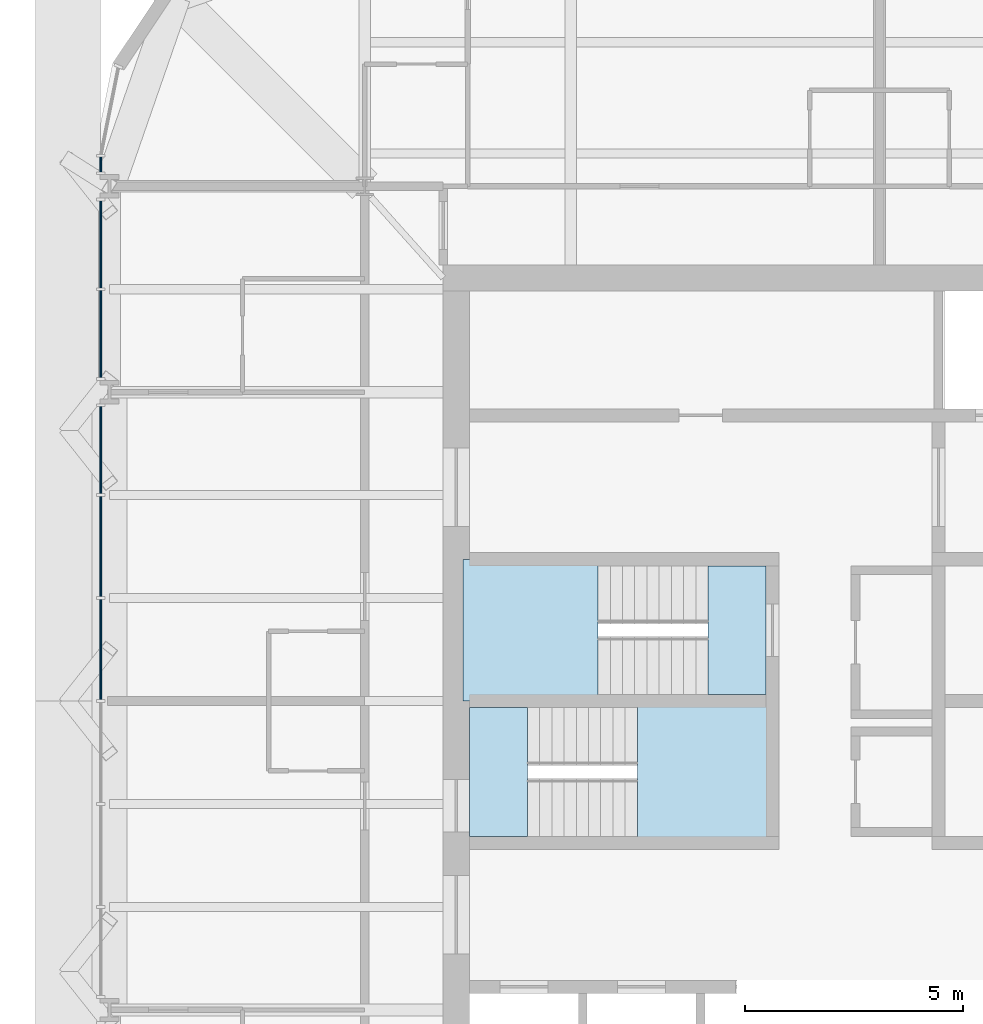
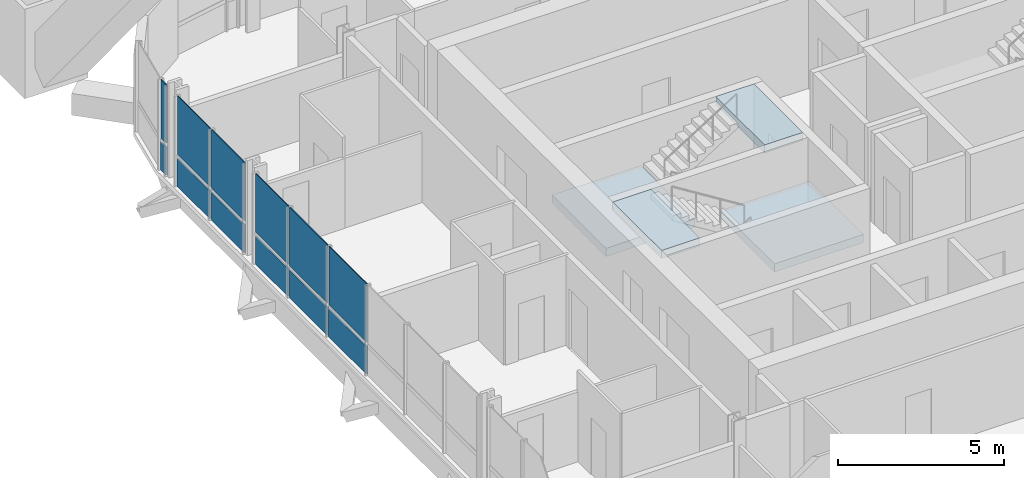
# One storey, part 15 of 23: 12 plates, 4 slabs, 5 elements without a shape of their own.
"""IFC4 building model written with IfcOpenShell, lengths in metres."""

from ifc_helpers import new_model, si_unit, direction, frame, origin, origin_2d, place, context, subcontext, project, spatial, polyline, rectangle, outline, extrude, material, layer, layer_set, type_object, element, aggregate, save


model = new_model("IFC4")

# Units and contexts
model_context = context("Model", 3, precision=1e-05, world=origin(), true_north=direction((0.0, 1.0)))
body_context = subcontext(model_context, "Body", "Model", "MODEL_VIEW")
ifc_project = project(units=[si_unit("LENGTHUNIT", "METRE"), si_unit("AREAUNIT", "SQUARE_METRE"), si_unit("VOLUMEUNIT", "CUBIC_METRE"), si_unit("PLANEANGLEUNIT", "RADIAN"), si_unit("MASSUNIT", "GRAM", prefix="KILO")], contexts=[model_context])

# Site, building, storey
site_placement = place(None, origin())
site = spatial("IfcSite", under=ifc_project, at=site_placement, CompositionType="ELEMENT")
building_placement = place(site_placement, origin())
building = spatial("IfcBuilding", under=site, at=building_placement, Name="Turquesa Mirador Hotel Tower", CompositionType="ELEMENT")
storey_placement = place(building_placement, frame((0.0, 0.0, 226.699951171875)))
storey = spatial("IfcBuildingStorey", under=building, at=storey_placement, Name="L61", CompositionType="ELEMENT", Elevation=226.699951171875)

# Curtain wall, plate
ifc_material_1 = material(Name="Aluminium extrusion", Category="aluminium")
curtain_wall_type = type_object("IfcCurtainWallType", Name="CW-4 SUITE FRITTED CURTAIN WALL", PredefinedType="USERDEFINED", material=ifc_material_1)
curtain_wall_1_placement = place(storey_placement, origin())
curtain_wall_1 = element("IfcCurtainWall", 1, at=curtain_wall_1_placement, inside=storey, type_object=curtain_wall_type, Name="CW-4 SUITE FRITTED CURTAIN WALL L61", ObjectType="CURTAIN WALL", PredefinedType="USERDEFINED")
ifc_material_2 = material(Name="Ceramic-printed spandrel glass on an insulated back pan", Category="glass")
ifc_layer_1 = layer(ifc_material_2, 0.050048828125)
ifc_layer_set_1 = layer_set([ifc_layer_1], Name="CW PANEL SPANDREL CERAMIC")
plate_type_1 = type_object("IfcPlateType", Name="CW PANEL SPANDREL CERAMIC", PredefinedType="CURTAIN_PANEL", material=ifc_layer_set_1)
plate_1_placement = place(storey_placement, frame((37.14990234375, 57.300048828125, 0.0), z_axis=(0.0, 0.0, 1.0), x_axis=(0.0, -1.0, 0.0)))
plate_1 = element("IfcPlate", 2, at=plate_1_placement, type_object=plate_type_1, Name="Panel", PredefinedType="CURTAIN_PANEL", context=body_context, shape_type="SweptSolid", body=[
    extrude(rectangle(XDim=0.3349609375, YDim=0.050048828125, at=origin_2d()), origin(), (0.0, 0.0, 1.0), 1.02490234375),
])

# Curtain wall, plates
curtain_wall_2_placement = place(storey_placement, origin())
curtain_wall_2 = element("IfcCurtainWall", 3, at=curtain_wall_2_placement, inside=storey, type_object=curtain_wall_type, Name="CW-4 SUITE FRITTED CURTAIN WALL L61", ObjectType="CURTAIN WALL", PredefinedType="USERDEFINED")
plate_2_placement = place(storey_placement, frame((37.14990234375, 55.469970703125, 0.0), z_axis=(0.0, 0.0, 1.0), x_axis=(0.0, -1.0, 0.0)))
plate_2 = element("IfcPlate", 4, at=plate_2_placement, type_object=plate_type_1, Name="Panel", PredefinedType="CURTAIN_PANEL", context=body_context, shape_type="SweptSolid", body=[
    extrude(rectangle(XDim=1.9951171875, YDim=0.050048828125, at=origin_2d()), origin(), (0.0, 0.0, 1.0), 1.02490234375),
])
plate_3_placement = place(storey_placement, frame((37.14990234375, 53.409912109375, 0.0), z_axis=(0.0, 0.0, 1.0), x_axis=(0.0, -1.0, 0.0)))
plate_3 = element("IfcPlate", 5, at=plate_3_placement, type_object=plate_type_1, Name="Panel", PredefinedType="CURTAIN_PANEL", context=body_context, shape_type="SweptSolid", body=[
    extrude(rectangle(XDim=1.9951171875, YDim=0.050048828125, at=origin_2d()), origin(), (0.0, 0.0, 1.0), 1.02490234375),
])

curtain_wall_3_placement = place(storey_placement, origin())
curtain_wall_3 = element("IfcCurtainWall", 6, at=curtain_wall_3_placement, inside=storey, type_object=curtain_wall_type, Name="CW-4 SUITE FRITTED CURTAIN WALL L61", ObjectType="CURTAIN WALL", PredefinedType="USERDEFINED")
plate_4_placement = place(storey_placement, frame((37.14990234375, 50.75, 0.0), z_axis=(0.0, 0.0, 1.0), x_axis=(0.0, -1.0, 0.0)))
plate_4 = element("IfcPlate", 7, at=plate_4_placement, type_object=plate_type_1, Name="Panel", PredefinedType="CURTAIN_PANEL", context=body_context, shape_type="SweptSolid", body=[
    extrude(rectangle(XDim=1.9951171875, YDim=0.050048828125, at=origin_2d()), origin(), (0.0, 0.0, 1.0), 1.02490234375),
])
plate_5_placement = place(storey_placement, frame((37.14990234375, 48.5400390625, 0.0), z_axis=(0.0, 0.0, 1.0), x_axis=(0.0, -1.0, 0.0)))
plate_5 = element("IfcPlate", 8, at=plate_5_placement, type_object=plate_type_1, Name="Panel", PredefinedType="CURTAIN_PANEL", context=body_context, shape_type="SweptSolid", body=[
    extrude(rectangle(XDim=2.294921875, YDim=0.050048828125, at=origin_2d()), origin(), (0.0, 0.0, 1.0), 1.02490234375),
])
plate_6_placement = place(storey_placement, frame((37.14990234375, 46.179931640625, 0.0), z_axis=(0.0, 0.0, 1.0), x_axis=(0.0, -1.0, 0.0)))
plate_6 = element("IfcPlate", 9, at=plate_6_placement, type_object=plate_type_1, Name="Panel", PredefinedType="CURTAIN_PANEL", context=body_context, shape_type="SweptSolid", body=[
    extrude(rectangle(XDim=2.294921875, YDim=0.050048828125, at=origin_2d()), origin(), (0.0, 0.0, 1.0), 1.02490234375),
])

# Plate
ifc_material_3 = material(Name="Ceramic-fritted laminated glass", Category="glass")
ifc_layer_2 = layer(ifc_material_3, 0.031982421875)
ifc_layer_set_2 = layer_set([ifc_layer_2], Name="CW PANEL VISION FRITTED")
plate_type_2 = type_object("IfcPlateType", Name="CW PANEL VISION FRITTED", PredefinedType="CURTAIN_PANEL", material=ifc_layer_set_2)
plate_7_placement = place(storey_placement, frame((37.14990234375, 57.300048828125, 1.1748046875), z_axis=(0.0, 0.0, 1.0), x_axis=(0.0, -1.0, 0.0)))
plate_7 = element("IfcPlate", 10, at=plate_7_placement, type_object=plate_type_2, Name="Panel", PredefinedType="CURTAIN_PANEL", context=body_context, shape_type="SweptSolid", body=[
    extrude(rectangle(XDim=0.3349609375, YDim=0.031982421875, at=origin_2d()), origin(), (0.0, 0.0, 1.0), 2.155029296875),
])

aggregate(curtain_wall_1, [plate_1, plate_7])

plate_8_placement = place(storey_placement, frame((37.14990234375, 55.469970703125, 1.1748046875), z_axis=(0.0, 0.0, 1.0), x_axis=(0.0, -1.0, 0.0)))
plate_8 = element("IfcPlate", 11, at=plate_8_placement, type_object=plate_type_2, Name="Panel", PredefinedType="CURTAIN_PANEL", context=body_context, shape_type="SweptSolid", body=[
    extrude(rectangle(XDim=1.9951171875, YDim=0.031982421875, at=origin_2d()), origin(), (0.0, 0.0, 1.0), 2.155029296875),
])

plate_9_placement = place(storey_placement, frame((37.14990234375, 53.409912109375, 1.1748046875), z_axis=(0.0, 0.0, 1.0), x_axis=(0.0, -1.0, 0.0)))
plate_9 = element("IfcPlate", 12, at=plate_9_placement, type_object=plate_type_2, Name="Panel", PredefinedType="CURTAIN_PANEL", context=body_context, shape_type="SweptSolid", body=[
    extrude(rectangle(XDim=1.9951171875, YDim=0.031982421875, at=origin_2d()), origin(), (0.0, 0.0, 1.0), 2.155029296875),
])

aggregate(curtain_wall_2, [plate_2, plate_8, plate_3, plate_9])

plate_10_placement = place(storey_placement, frame((37.14990234375, 50.75, 1.1748046875), z_axis=(0.0, 0.0, 1.0), x_axis=(0.0, -1.0, 0.0)))
plate_10 = element("IfcPlate", 13, at=plate_10_placement, type_object=plate_type_2, Name="Panel", PredefinedType="CURTAIN_PANEL", context=body_context, shape_type="SweptSolid", body=[
    extrude(rectangle(XDim=1.9951171875, YDim=0.031982421875, at=origin_2d()), origin(), (0.0, 0.0, 1.0), 2.155029296875),
])

plate_11_placement = place(storey_placement, frame((37.14990234375, 48.5400390625, 1.1748046875), z_axis=(0.0, 0.0, 1.0), x_axis=(0.0, -1.0, 0.0)))
plate_11 = element("IfcPlate", 14, at=plate_11_placement, type_object=plate_type_2, Name="Panel", PredefinedType="CURTAIN_PANEL", context=body_context, shape_type="SweptSolid", body=[
    extrude(rectangle(XDim=2.294921875, YDim=0.031982421875, at=origin_2d()), origin(), (0.0, 0.0, 1.0), 2.155029296875),
])

plate_12_placement = place(storey_placement, frame((37.14990234375, 46.179931640625, 1.1748046875), z_axis=(0.0, 0.0, 1.0), x_axis=(0.0, -1.0, 0.0)))
plate_12 = element("IfcPlate", 15, at=plate_12_placement, type_object=plate_type_2, Name="Panel", PredefinedType="CURTAIN_PANEL", context=body_context, shape_type="SweptSolid", body=[
    extrude(rectangle(XDim=2.294921875, YDim=0.031982421875, at=origin_2d()), origin(), (0.0, 0.0, 1.0), 2.155029296875),
])

aggregate(curtain_wall_3, [plate_4, plate_10, plate_5, plate_11, plate_6, plate_12])

# Stair, slabs
ifc_material_4 = material(Name="Concrete C35/45", Category="concrete")
stair_type = type_object("IfcStairType", Name="ESCAPE STAIR CORE", PredefinedType="HALF_TURN_STAIR", material=ifc_material_4)
stair_1_placement = place(storey_placement, origin())
stair_1 = element("IfcStair", 16, at=stair_1_placement, inside=storey, type_object=stair_type, Name="Stair ST1 L61 to L62", PredefinedType="HALF_TURN_STAIR")
ifc_material_5 = material(Name="Concrete C35/45", Category="concrete")
ifc_layer_3 = layer(ifc_material_5, 0.300048828125)
ifc_layer_set_3 = layer_set([ifc_layer_3], Name="STAIR LANDING 300")
slab_type = type_object("IfcSlabType", Name="STAIR LANDING 300", PredefinedType="LANDING", material=ifc_layer_set_3)
slab_1_placement = place(storey_placement, frame((0.0, 0.0, 1.449951171875)))
slab_1 = element("IfcSlab", 17, at=slab_1_placement, type_object=slab_type, Name="ST1 landing 1", PredefinedType="LANDING", context=body_context, shape_type="SweptSolid", body=[
    extrude(outline(polyline([(45.449951171875, 45.0), (48.550048828125, 45.0), (48.550048828125, 48.25), (45.449951171875, 48.25), (45.449951171875, 45.0)])), origin(), (0.0, 0.0, 1.0), 0.300048828125),
])
slab_2_placement = place(storey_placement, frame((0.0, 0.0, 3.199951171875)))
slab_2 = element("IfcSlab", 18, at=slab_2_placement, type_object=slab_type, Name="ST1 landing 2", PredefinedType="LANDING", context=body_context, shape_type="SweptSolid", body=[
    extrude(outline(polyline([(51.070068359375, 45.14990234375), (52.39990234375, 45.14990234375), (52.39990234375, 48.10009765625), (51.070068359375, 48.10009765625), (51.070068359375, 45.14990234375)])), origin(), (0.0, 0.0, 1.0), 0.300048828125),
])
aggregate(stair_1, [slab_1, slab_2])

stair_2_placement = place(storey_placement, origin())
stair_2 = element("IfcStair", 19, at=stair_2_placement, inside=storey, type_object=stair_type, Name="Stair ST2 L61 to L62", PredefinedType="HALF_TURN_STAIR")
slab_3_placement = place(storey_placement, frame((0.0, 0.0, 1.449951171875)))
slab_3 = element("IfcSlab", 20, at=slab_3_placement, type_object=slab_type, Name="ST2 landing 1", PredefinedType="LANDING", context=body_context, shape_type="SweptSolid", body=[
    extrude(outline(polyline([(52.550048828125, 45.0), (49.449951171875, 45.0), (49.449951171875, 41.75), (52.550048828125, 41.75), (52.550048828125, 45.0)])), origin(), (0.0, 0.0, 1.0), 0.300048828125),
])
slab_4_placement = place(storey_placement, frame((0.0, 0.0, 3.199951171875)))
slab_4 = element("IfcSlab", 21, at=slab_4_placement, type_object=slab_type, Name="ST2 landing 2", PredefinedType="LANDING", context=body_context, shape_type="SweptSolid", body=[
    extrude(outline(polyline([(46.929931640625, 44.85009765625), (45.60009765625, 44.85009765625), (45.60009765625, 41.89990234375), (46.929931640625, 41.89990234375), (46.929931640625, 44.85009765625)])), origin(), (0.0, 0.0, 1.0), 0.300048828125),
])
aggregate(stair_2, [slab_3, slab_4])

save(model, "model.ifc")
